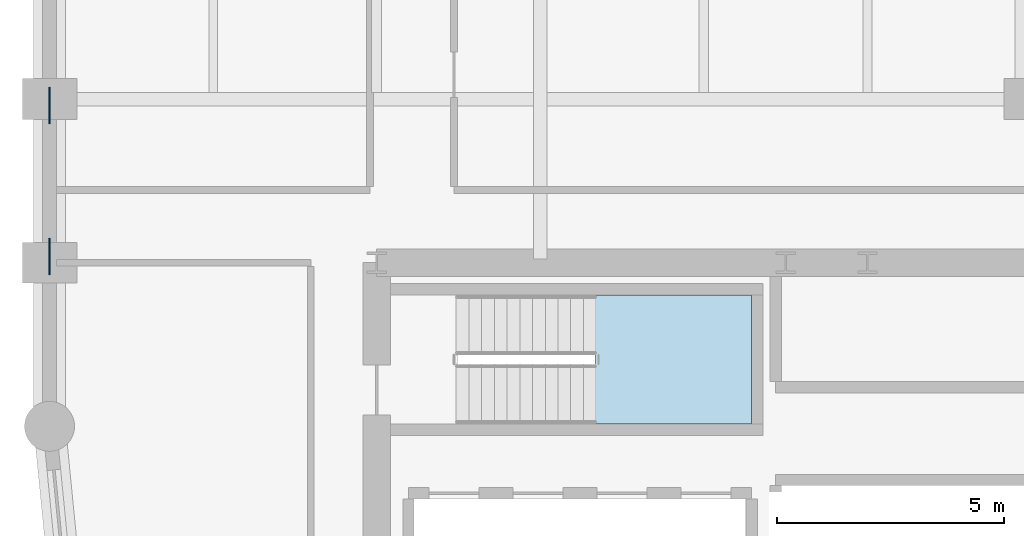
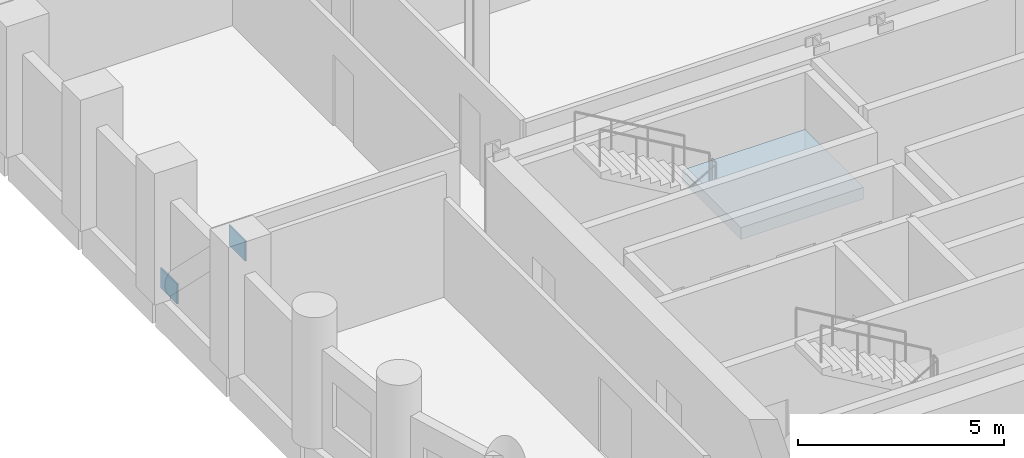
# One storey, part 3 of 9: 2 plates, 1 slab, 1 element without a shape of its own.
"""IFC4 building model written with IfcOpenShell, lengths in metres."""

import ifcopenshell
import ifcopenshell.guid

model = None  # the IFC model being written
_history = None  # IfcOwnerHistory: only IFC2X3 demands one
_inside = {}  # id of a spatial element -> (the spatial element, [elements in it])
_under = {}  # id of a project, library or spatial element -> (it, [spatial elements below it])
_declared = {}  # id of a project -> (the project, [libraries it declares])
_typed = {}  # id of a type object -> (the type object, [elements of that type])
_made_of = {}  # id of a material, layer set ... -> (it, [elements and type objects made of it])


def new_model(schema):
    """Start an empty IFC model of exactly this schema.

    Asked for "IFC4X3", IfcOpenShell would pick the latest addendum, in which some entities
    have other attributes; the version numbers below select the first issue.
    IFC2X3 requires an IfcOwnerHistory on every rooted entity: one is made here for all.
    """
    global model, _history
    if schema == "IFC4X3":
        model = ifcopenshell.file(schema_version=(4, 3, 0, 0))
    else:
        model = ifcopenshell.file(schema=schema)
    _inside.clear()
    _under.clear()
    _declared.clear()
    _typed.clear()
    _made_of.clear()
    _history = None
    if model.schema == "IFC2X3":
        org = make("IfcOrganization", Name="unknown")
        user = make(
            "IfcPersonAndOrganization",
            ThePerson=make("IfcPerson", FamilyName="unknown"),
            TheOrganization=org,
        )
        app = make(
            "IfcApplication",
            ApplicationDeveloper=org,
            Version="unknown",
            ApplicationFullName="unknown",
            ApplicationIdentifier="unknown",
        )
        _history = make(
            "IfcOwnerHistory",
            OwningUser=user,
            OwningApplication=app,
            ChangeAction="ADDED",
            CreationDate=0,
        )
    return model


def make(cls, **values):
    """One entity of the class cls with the attributes given. An attribute that is None is left unset."""
    return model.create_entity(
        cls, **{name: value for name, value in values.items() if value is not None}
    )


def rooted(cls, **values):
    """An entity with a GlobalId (a new one), such as an element, a storey or a relation."""
    return make(cls, GlobalId=ifcopenshell.guid.new(), OwnerHistory=_history, **values)


def si_unit(unit_type, name, prefix=None):
    """IfcSIUnit, for example si_unit("LENGTHUNIT", "METRE", prefix="MILLI")."""
    return make("IfcSIUnit", UnitType=unit_type, Prefix=prefix, Name=name)


def assignment(units):
    """IfcUnitAssignment: the units of a project."""
    return None if units is None else make("IfcUnitAssignment", Units=units)


def point(xyz):
    """IfcCartesianPoint."""
    return None if xyz is None else make("IfcCartesianPoint", Coordinates=xyz)


def direction(xyz):
    """IfcDirection."""
    return None if xyz is None else make("IfcDirection", DirectionRatios=xyz)


def frame(location, z_axis=None, x_axis=None):
    """IfcAxis2Placement3D, a coordinate frame: its origin and axes. An axis left out is left unset."""
    return make(
        "IfcAxis2Placement3D",
        Location=point(location),
        Axis=direction(z_axis),
        RefDirection=direction(x_axis),
    )


def frame_2d(location, x_axis=None):
    """IfcAxis2Placement2D, a coordinate frame in the plane: its origin and x axis."""
    return make(
        "IfcAxis2Placement2D", Location=point(location), RefDirection=direction(x_axis)
    )


def origin():
    """The frame at (0, 0, 0) with its axes left unset."""
    return frame((0.0, 0.0, 0.0))


def origin_2d():
    """The frame at (0, 0) in the plane with its x axis left unset."""
    return frame_2d((0.0, 0.0))


def place(relative_to, where):
    """IfcLocalPlacement: puts the frame where relative to a parent placement (None: the world)."""
    return make(
        "IfcLocalPlacement", PlacementRelTo=relative_to, RelativePlacement=where
    )


def context(
    kind, dimensions, precision=None, world=None, true_north=None, identifier=None
):
    """IfcGeometricRepresentationContext, for example the 3D "Model" context."""
    return make(
        "IfcGeometricRepresentationContext",
        ContextIdentifier=identifier,
        ContextType=kind,
        CoordinateSpaceDimension=dimensions,
        Precision=precision,
        WorldCoordinateSystem=world,
        TrueNorth=true_north,
    )


def subcontext(parent, identifier, kind, view, scale=None):
    """IfcGeometricRepresentationSubContext, for example "Body" below "Model"."""
    return make(
        "IfcGeometricRepresentationSubContext",
        ContextIdentifier=identifier,
        ContextType=kind,
        ParentContext=parent,
        TargetScale=scale,
        TargetView=view,
    )


def project(units=None, contexts=None):
    """IfcProject with its units and contexts."""
    return rooted(
        "IfcProject",
        Name="project",
        RepresentationContexts=contexts,
        UnitsInContext=assignment(units),
    )


def spatial(cls, under=None, at=None, **own):
    """A site, building, storey or space (cls), placed at a placement, below another one or the project."""
    s = rooted(cls, ObjectPlacement=at, **own)
    if under is not None:
        _under.setdefault(under.id(), (under, []))[1].append(s)
    return s


def polyline(points):
    """IfcPolyline through the points."""
    return make("IfcPolyline", Points=[point(p) for p in points])


def profile(cls, at=None, kind="AREA", **sizes):
    """A parametric profile (cls). Its sizes go by their IFC names, for example OverallWidth=200.0."""
    return make(cls, ProfileType=kind, Position=at, **sizes)


def rectangle(**sizes):
    """IfcRectangleProfileDef."""
    return profile("IfcRectangleProfileDef", **sizes)


def outline(outer, holes=None, kind="AREA"):
    """IfcArbitraryClosedProfileDef: a profile drawn as a closed curve; with holes, ...WithVoids."""
    if holes is None:
        return make("IfcArbitraryClosedProfileDef", ProfileType=kind, OuterCurve=outer)
    return make(
        "IfcArbitraryProfileDefWithVoids",
        ProfileType=kind,
        OuterCurve=outer,
        InnerCurves=holes,
    )


def extrude(swept, where, along, depth):
    """IfcExtrudedAreaSolid: the profile swept, set in the frame where, extruded along a direction by depth."""
    return make(
        "IfcExtrudedAreaSolid",
        SweptArea=swept,
        Position=where,
        ExtrudedDirection=direction(along),
        Depth=depth,
    )


def shape(context_of_items, identifier, shape_type, items):
    """IfcShapeRepresentation: the items that make up one representation, for example the "Body"."""
    return make(
        "IfcShapeRepresentation",
        ContextOfItems=context_of_items,
        RepresentationIdentifier=identifier,
        RepresentationType=shape_type,
        Items=items,
    )


def material(Name=None, Category=None):
    """IfcMaterial."""
    return make("IfcMaterial", Name=Name, Category=Category)


def layer(
    of_material, thickness, ventilated=None, Name=None, Category=None, Priority=None
):
    """IfcMaterialLayer: one layer of a wall or slab, of a material (None: an air gap)."""
    return make(
        "IfcMaterialLayer",
        Material=of_material,
        LayerThickness=thickness,
        IsVentilated=ventilated,
        Name=Name,
        Category=Category,
        Priority=Priority,
    )


def layer_set(layers, Name=None):
    """IfcMaterialLayerSet."""
    return make("IfcMaterialLayerSet", MaterialLayers=layers, LayerSetName=Name)


def made_of(thing, what):
    """Note that an element or type object is made of a material, layer set ...; save() writes the relation."""
    if what is not None:
        _made_of.setdefault(what.id(), (what, []))[1].append(thing)
    return thing


def type_object(cls, material=None, **own):
    """A type object (cls), such as IfcWallType, which elements share."""
    return made_of(rooted(cls, **own), material)


def element(
    cls,
    number,
    at=None,
    inside=None,
    cuts=None,
    type_object=None,
    material=None,
    context=None,
    identifier="Body",
    shape_type=None,
    held_by="IfcProductDefinitionShape",
    body=None,
    shapes=None,
    **own,
):
    """One element of the class cls, such as IfcWall. Its Tag is "e" and its number.

    at: its placement. inside: the storey or other place that contains it. cuts: it is an
    opening in that element (IfcRelVoidsElement). A single representation is given by context,
    identifier, shape_type and body (its items); several are given by shapes. held_by: the class
    of the entity that holds the representations. save() writes the other relations.
    """
    e = rooted(cls, Tag="e%d" % number, ObjectPlacement=at, **own)
    if body is not None:
        shapes = [shape(context, identifier, shape_type, body)]
    if shapes is not None:
        e.Representation = make(held_by, Representations=shapes)
    if inside is not None:
        _inside.setdefault(inside.id(), (inside, []))[1].append(e)
    if cuts is not None:
        rooted(
            "IfcRelVoidsElement", RelatingBuildingElement=cuts, RelatedOpeningElement=e
        )
    if type_object is not None:
        _typed.setdefault(type_object.id(), (type_object, []))[1].append(e)
    return made_of(e, material)


def aggregate(whole, parts):
    """IfcRelAggregates: a whole, such as a stair, and the parts it consists of."""
    return rooted("IfcRelAggregates", RelatingObject=whole, RelatedObjects=parts)


def save(model, path):
    """Write the relations noted so far, then the file.

    IfcRelAggregates (storeys below a building ...), IfcRelContainedInSpatialStructure (elements
    in a storey), IfcRelDefinesByType, IfcRelAssociatesMaterial and IfcRelDeclares: one each for
    every whole, place, type object, material and project.
    """
    for whole, parts in _under.values():
        aggregate(whole, parts)
    for where, things in _inside.values():
        rooted(
            "IfcRelContainedInSpatialStructure",
            RelatedElements=things,
            RelatingStructure=where,
        )
    for kind, things in _typed.values():
        rooted("IfcRelDefinesByType", RelatedObjects=things, RelatingType=kind)
    for what, things in _made_of.values():
        rooted("IfcRelAssociatesMaterial", RelatedObjects=things, RelatingMaterial=what)
    for by, libraries in _declared.values():
        rooted("IfcRelDeclares", RelatingContext=by, RelatedDefinitions=libraries)
    model.write(path)


model = new_model("IFC4")

# Units and contexts
model_context = context("Model", 3, precision=1e-05, world=origin(), true_north=direction((0.0, 1.0)))
body_context = subcontext(model_context, "Body", "Model", "MODEL_VIEW")
ifc_project = project(units=[si_unit("LENGTHUNIT", "METRE"), si_unit("AREAUNIT", "SQUARE_METRE"), si_unit("VOLUMEUNIT", "CUBIC_METRE"), si_unit("PLANEANGLEUNIT", "RADIAN"), si_unit("MASSUNIT", "GRAM", prefix="KILO")], contexts=[model_context])

# Site, building, storey
site_placement = place(None, origin())
site = spatial("IfcSite", under=ifc_project, at=site_placement, CompositionType="ELEMENT")
building_placement = place(site_placement, origin())
building = spatial("IfcBuilding", under=site, at=building_placement, Name="Solnavia Interchange Tower", CompositionType="ELEMENT")
storey_placement = place(building_placement, frame((0.0, 0.0, 59.10009765625)))
storey = spatial("IfcBuildingStorey", under=building, at=storey_placement, Name="L14", CompositionType="ELEMENT", Elevation=59.10009765625)

# Plates
ifc_material_1 = material(Name="Steel S460", Category="steel")
ifc_layer_1 = layer(ifc_material_1, 0.035888671875)
ifc_layer_set_1 = layer_set([ifc_layer_1], Name="Steel S460")
plate_type = type_object("IfcPlateType", Name="Plate-Gusset-800x600x36", PredefinedType="USERDEFINED", material=ifc_layer_set_1)
for number, where, z_axis, x_axis, name in (
    (1, (7.199951171875, 28.659912109375, -0.1201171875), (0.0, 0.0, 1.0), (0.0, -1.0, 0.0), "PLT-L14-GP01 Perimeter brace gusset plate"),
    (2, (7.199951171875, 25.340087890625, 3.169921875), (0.0, 0.0, 1.0), (0.0, -1.0, 0.0), "PLT-L14-GP02 Perimeter brace gusset plate"),
):
    element("IfcPlate", number, at=place(storey_placement, frame(where, z_axis=z_axis, x_axis=x_axis)), inside=storey, type_object=plate_type, Name=name, ObjectType="GUSSET PLATE", PredefinedType="USERDEFINED", context=body_context, shape_type="SweptSolid", body=[
        extrude(rectangle(XDim=0.800048828125, YDim=0.035888671875, at=origin_2d()), origin(), (0.0, 0.0, 1.0), 0.60009765625),
    ])

# Stair, slab
ifc_material_2 = material(Name="Concrete C40/50", Category="concrete")
stair_type = type_object("IfcStairType", Name="Stair-Dogleg-RC", PredefinedType="HALF_TURN_STAIR", material=ifc_material_2)
stair_placement = place(storey_placement, origin())
stair = element("IfcStair", 3, at=stair_placement, inside=storey, type_object=stair_type, Name="L14 Core exit stair 3", PredefinedType="HALF_TURN_STAIR")
ifc_layer_2 = layer(ifc_material_2, 0.35009765625)
ifc_layer_set_2 = layer_set([ifc_layer_2], Name="Concrete C40/50")
slab_type = type_object("IfcSlabType", Name="Slab-StairLanding-350", PredefinedType="LANDING", material=ifc_layer_set_2)
slab_placement = place(storey_placement, frame((0.0, 0.0, 1.599853515625)))
slab = element("IfcSlab", 4, at=slab_placement, type_object=slab_type, Name="ST-3 landing 1", PredefinedType="LANDING", context=body_context, shape_type="SweptSolid", body=[
    extrude(outline(polyline([(19.2080078125, 21.64990234375), (22.64990234375, 21.64990234375), (22.64990234375, 24.489990234375), (19.2080078125, 24.489990234375), (19.2080078125, 21.64990234375)])), origin(), (0.0, 0.0, 1.0), 0.35009765625),
])
aggregate(stair, [slab])

save(model, "model.ifc")
